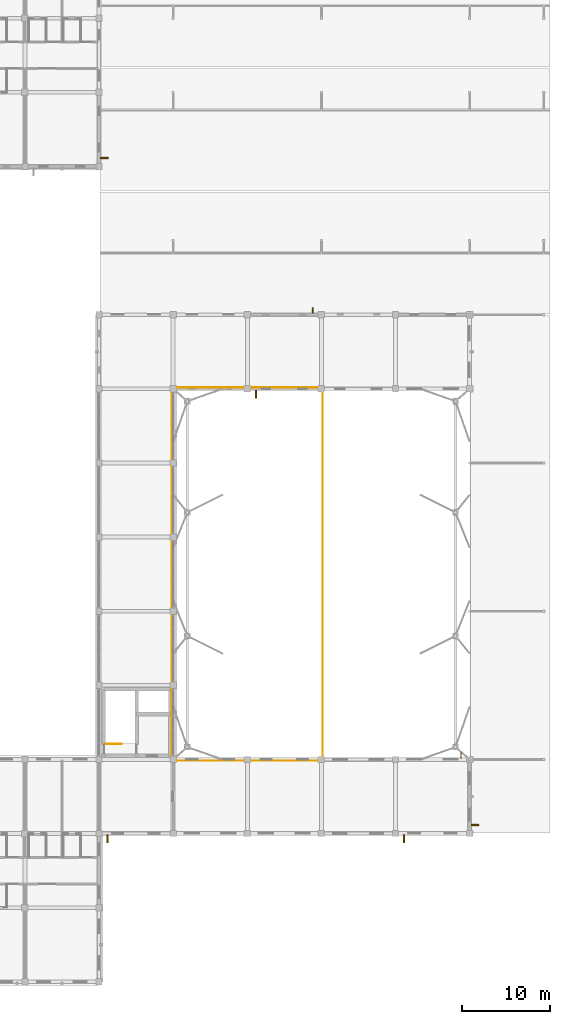
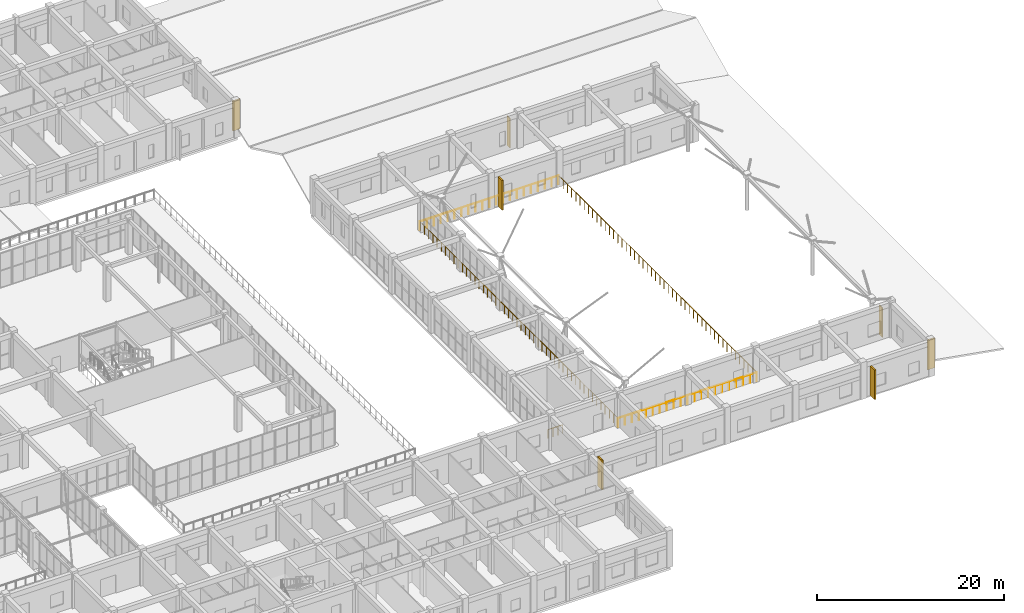
# One storey, part 157 of 158: 7 shading devices, 5 railings.
"""IFC4 building model written with IfcOpenShell, lengths in metres."""

from ifc_helpers import new_model, si_unit, direction, frame, origin, origin_2d, place, context, subcontext, project, spatial, rectangle, circle, extrude, material, type_object, element, save


model = new_model("IFC4")

# Units and contexts
model_context = context("Model", 3, precision=1e-05, world=origin(), true_north=direction((0.0, 1.0)))
body_context = subcontext(model_context, "Body", "Model", "MODEL_VIEW")
ifc_project = project(units=[si_unit("LENGTHUNIT", "METRE"), si_unit("AREAUNIT", "SQUARE_METRE"), si_unit("VOLUMEUNIT", "CUBIC_METRE"), si_unit("PLANEANGLEUNIT", "RADIAN"), si_unit("MASSUNIT", "GRAM", prefix="KILO")], contexts=[model_context])

# Site, building, storey
site_placement = place(None, origin())
site = spatial("IfcSite", under=ifc_project, at=site_placement, CompositionType="ELEMENT")
building_placement = place(site_placement, origin())
building = spatial("IfcBuilding", under=site, at=building_placement, Name="Trelvath General Hospital", CompositionType="ELEMENT")
storey_placement = place(building_placement, frame((0.0, 0.0, 8.10009765625)))
storey = spatial("IfcBuildingStorey", under=building, at=storey_placement, Name="L02", CompositionType="ELEMENT", Elevation=8.10009765625)

# Shading devices
ifc_material_1 = material(Name="Precast concrete C40/50", Category="concrete")
shading_device_type_1 = type_object("IfcShadingDeviceType", Name="BriseSoleil PrecastFin900", PredefinedType="JALOUSIE", material=ifc_material_1)
for number, where, z_axis, x_axis, name in (
    (1, (135.0048828125, 93.3701171875, 0.0), (0.0, 0.0, 1.0), (1.0, 0.0, 0.0), "Solar Brise-Soleil Screen L02-46"),
    (2, (135.3701171875, 16.195068359375, 0.0), (0.0, 0.0, 1.0), (0.0, -1.0, 0.0), "Solar Brise-Soleil Screen L02-47"),
    (3, (152.170166015625, 66.594970703125, 0.0), (0.0, 0.0, 1.0), (0.0, -1.0, 0.0), "Solar Brise-Soleil Screen L02-48"),
    (4, (168.97021484375, 16.195068359375, 0.0), (0.0, 0.0, 1.0), (0.0, -1.0, 0.0), "Solar Brise-Soleil Screen L02-50"),
    (5, (177.0048828125, 17.770263671875, 0.0), (0.0, 0.0, 1.0), (1.0, 0.0, 0.0), "Solar Brise-Soleil Screen L02-52"),
):
    element("IfcShadingDevice", number, at=place(storey_placement, frame(where, z_axis=z_axis, x_axis=x_axis)), inside=storey, type_object=shading_device_type_1, Name=name, PredefinedType="JALOUSIE", context=body_context, shape_type="SweptSolid", body=[
        extrude(rectangle(XDim=0.89990234375, YDim=0.179931640625, at=origin_2d()), origin(), (0.0, 0.0, 1.0), 3.860107421875),
    ])

# Railings
ifc_material_2 = material(Name="Architectural painted steel", Category="steel")
railing_type = type_object("IfcRailingType", Name="Guardrail Terrace1150", PredefinedType="GUARDRAIL", material=ifc_material_2)
railing_1_placement = place(storey_placement, frame((135.1298828125, 26.9599609375, 0.0)))
element("IfcRailing", 6, at=railing_1_placement, inside=storey, type_object=railing_type, Name="Stair Well Edge Guard C7 L02 240", PredefinedType="GUARDRAIL", context=body_context, shape_type="SweptSolid", body=[
    extrude(circle(Radius=0.02392578125, at=origin_2d()), frame((0.0, 0.0, 1.1259765625), z_axis=(1.0, 0.0, 0.0), x_axis=(0.0, 1.0, 0.0)), (0.0, 0.0, 1.0), 1.800048828125),
    extrude(circle(Radius=0.02099609375, at=origin_2d()), origin(), (0.0, 0.0, 1.0), 1.099853515625),
    extrude(circle(Radius=0.02099609375, at=origin_2d()), frame((0.60009765625, 0.0, 0.0)), (0.0, 0.0, 1.0), 1.099853515625),
    extrude(circle(Radius=0.02099609375, at=origin_2d()), frame((1.199951171875, 0.0, 0.0)), (0.0, 0.0, 1.0), 1.099853515625),
    extrude(circle(Radius=0.02099609375, at=origin_2d()), frame((1.800048828125, 0.0, 0.0)), (0.0, 0.0, 1.0), 1.099853515625),
])
railing_2_placement = place(storey_placement, frame((142.64990234375, 25.050048828125, 0.0)))
element("IfcRailing", 7, at=railing_2_placement, inside=storey, type_object=railing_type, Name="Hall Void Guard S L02 407", PredefinedType="GUARDRAIL", context=body_context, shape_type="SweptSolid", body=[
    extrude(circle(Radius=0.02392578125, at=origin_2d()), frame((0.0, 0.0, 1.1259765625), z_axis=(1.0, 0.0, 0.0), x_axis=(0.0, 1.0, 0.0)), (0.0, 0.0, 1.0), 17.10009765625),
    extrude(circle(Radius=0.02099609375, at=origin_2d()), origin(), (0.0, 0.0, 1.0), 1.099853515625),
    extrude(circle(Radius=0.02099609375, at=origin_2d()), frame((0.85498046875, 0.0, 0.0)), (0.0, 0.0, 1.0), 1.099853515625),
    extrude(circle(Radius=0.02099609375, at=origin_2d()), frame((1.7099609375, 0.0, 0.0)), (0.0, 0.0, 1.0), 1.099853515625),
    extrude(circle(Radius=0.02099609375, at=origin_2d()), frame((2.56494140625, 0.0, 0.0)), (0.0, 0.0, 1.0), 1.099853515625),
    extrude(circle(Radius=0.02099609375, at=origin_2d()), frame((3.419921875, 0.0, 0.0)), (0.0, 0.0, 1.0), 1.099853515625),
    extrude(circle(Radius=0.02099609375, at=origin_2d()), frame((4.27490234375, 0.0, 0.0)), (0.0, 0.0, 1.0), 1.099853515625),
    extrude(circle(Radius=0.02099609375, at=origin_2d()), frame((5.130126953125, 0.0, 0.0)), (0.0, 0.0, 1.0), 1.099853515625),
    extrude(circle(Radius=0.02099609375, at=origin_2d()), frame((5.985107421875, 0.0, 0.0)), (0.0, 0.0, 1.0), 1.099853515625),
    extrude(circle(Radius=0.02099609375, at=origin_2d()), frame((6.840087890625, 0.0, 0.0)), (0.0, 0.0, 1.0), 1.099853515625),
    extrude(circle(Radius=0.02099609375, at=origin_2d()), frame((7.695068359375, 0.0, 0.0)), (0.0, 0.0, 1.0), 1.099853515625),
    extrude(circle(Radius=0.02099609375, at=origin_2d()), frame((8.550048828125, 0.0, 0.0)), (0.0, 0.0, 1.0), 1.099853515625),
    extrude(circle(Radius=0.02099609375, at=origin_2d()), frame((9.405029296875, 0.0, 0.0)), (0.0, 0.0, 1.0), 1.099853515625),
    extrude(circle(Radius=0.02099609375, at=origin_2d()), frame((10.260009765625, 0.0, 0.0)), (0.0, 0.0, 1.0), 1.099853515625),
    extrude(circle(Radius=0.02099609375, at=origin_2d()), frame((11.114990234375, 0.0, 0.0)), (0.0, 0.0, 1.0), 1.099853515625),
    extrude(circle(Radius=0.02099609375, at=origin_2d()), frame((11.969970703125, 0.0, 0.0)), (0.0, 0.0, 1.0), 1.099853515625),
    extrude(circle(Radius=0.02099609375, at=origin_2d()), frame((12.8251953125, 0.0, 0.0)), (0.0, 0.0, 1.0), 1.099853515625),
    extrude(circle(Radius=0.02099609375, at=origin_2d()), frame((13.68017578125, 0.0, 0.0)), (0.0, 0.0, 1.0), 1.099853515625),
    extrude(circle(Radius=0.02099609375, at=origin_2d()), frame((14.53515625, 0.0, 0.0)), (0.0, 0.0, 1.0), 1.099853515625),
    extrude(circle(Radius=0.02099609375, at=origin_2d()), frame((15.39013671875, 0.0, 0.0)), (0.0, 0.0, 1.0), 1.099853515625),
    extrude(circle(Radius=0.02099609375, at=origin_2d()), frame((16.2451171875, 0.0, 0.0)), (0.0, 0.0, 1.0), 1.099853515625),
    extrude(circle(Radius=0.02099609375, at=origin_2d()), frame((17.10009765625, 0.0, 0.0)), (0.0, 0.0, 1.0), 1.099853515625),
])
railing_3_placement = place(storey_placement, frame((159.75, 25.1201171875, 0.0)))
element("IfcRailing", 8, at=railing_3_placement, inside=storey, type_object=railing_type, Name="Hall Void Guard E L02 408", PredefinedType="GUARDRAIL", context=body_context, shape_type="SweptSolid", body=[
    extrude(circle(Radius=0.02392578125, at=origin_2d()), frame((0.0, 0.0, 1.1259765625), z_axis=(0.0, 1.0, 0.0), x_axis=(-1.0, 0.0, 0.0)), (0.0, 0.0, 1.0), 42.159912109375),
    extrude(circle(Radius=0.02099609375, at=origin_2d()), origin(), (0.0, 0.0, 1.0), 1.099853515625),
    extrude(circle(Radius=0.02099609375, at=origin_2d()), frame((0.0, 0.89697265625, 0.0)), (0.0, 0.0, 1.0), 1.099853515625),
    extrude(circle(Radius=0.02099609375, at=origin_2d()), frame((0.0, 1.7939453125, 0.0)), (0.0, 0.0, 1.0), 1.099853515625),
    extrude(circle(Radius=0.02099609375, at=origin_2d()), frame((0.0, 2.691162109375, 0.0)), (0.0, 0.0, 1.0), 1.099853515625),
    extrude(circle(Radius=0.02099609375, at=origin_2d()), frame((0.0, 3.588134765625, 0.0)), (0.0, 0.0, 1.0), 1.099853515625),
    extrude(circle(Radius=0.02099609375, at=origin_2d()), frame((0.0, 4.485107421875, 0.0)), (0.0, 0.0, 1.0), 1.099853515625),
    extrude(circle(Radius=0.02099609375, at=origin_2d()), frame((0.0, 5.382080078125, 0.0)), (0.0, 0.0, 1.0), 1.099853515625),
    extrude(circle(Radius=0.02099609375, at=origin_2d()), frame((0.0, 6.279052734375, 0.0)), (0.0, 0.0, 1.0), 1.099853515625),
    extrude(circle(Radius=0.02099609375, at=origin_2d()), frame((0.0, 7.17626953125, 0.0)), (0.0, 0.0, 1.0), 1.099853515625),
    extrude(circle(Radius=0.02099609375, at=origin_2d()), frame((0.0, 8.0732421875, 0.0)), (0.0, 0.0, 1.0), 1.099853515625),
    extrude(circle(Radius=0.02099609375, at=origin_2d()), frame((0.0, 8.97021484375, 0.0)), (0.0, 0.0, 1.0), 1.099853515625),
    extrude(circle(Radius=0.02099609375, at=origin_2d()), frame((0.0, 9.8671875, 0.0)), (0.0, 0.0, 1.0), 1.099853515625),
    extrude(circle(Radius=0.02099609375, at=origin_2d()), frame((0.0, 10.76416015625, 0.0)), (0.0, 0.0, 1.0), 1.099853515625),
    extrude(circle(Radius=0.02099609375, at=origin_2d()), frame((0.0, 11.6611328125, 0.0)), (0.0, 0.0, 1.0), 1.099853515625),
    extrude(circle(Radius=0.02099609375, at=origin_2d()), frame((0.0, 12.558349609375, 0.0)), (0.0, 0.0, 1.0), 1.099853515625),
    extrude(circle(Radius=0.02099609375, at=origin_2d()), frame((0.0, 13.455322265625, 0.0)), (0.0, 0.0, 1.0), 1.099853515625),
    extrude(circle(Radius=0.02099609375, at=origin_2d()), frame((0.0, 14.352294921875, 0.0)), (0.0, 0.0, 1.0), 1.099853515625),
    extrude(circle(Radius=0.02099609375, at=origin_2d()), frame((0.0, 15.249267578125, 0.0)), (0.0, 0.0, 1.0), 1.099853515625),
    extrude(circle(Radius=0.02099609375, at=origin_2d()), frame((0.0, 16.146240234375, 0.0)), (0.0, 0.0, 1.0), 1.099853515625),
    extrude(circle(Radius=0.02099609375, at=origin_2d()), frame((0.0, 17.04345703125, 0.0)), (0.0, 0.0, 1.0), 1.099853515625),
    extrude(circle(Radius=0.02099609375, at=origin_2d()), frame((0.0, 17.9404296875, 0.0)), (0.0, 0.0, 1.0), 1.099853515625),
    extrude(circle(Radius=0.02099609375, at=origin_2d()), frame((0.0, 18.83740234375, 0.0)), (0.0, 0.0, 1.0), 1.099853515625),
    extrude(circle(Radius=0.02099609375, at=origin_2d()), frame((0.0, 19.734375, 0.0)), (0.0, 0.0, 1.0), 1.099853515625),
    extrude(circle(Radius=0.02099609375, at=origin_2d()), frame((0.0, 20.63134765625, 0.0)), (0.0, 0.0, 1.0), 1.099853515625),
    extrude(circle(Radius=0.02099609375, at=origin_2d()), frame((0.0, 21.528564453125, 0.0)), (0.0, 0.0, 1.0), 1.099853515625),
    extrude(circle(Radius=0.02099609375, at=origin_2d()), frame((0.0, 22.425537109375, 0.0)), (0.0, 0.0, 1.0), 1.099853515625),
    extrude(circle(Radius=0.02099609375, at=origin_2d()), frame((0.0, 23.322509765625, 0.0)), (0.0, 0.0, 1.0), 1.099853515625),
    extrude(circle(Radius=0.02099609375, at=origin_2d()), frame((0.0, 24.219482421875, 0.0)), (0.0, 0.0, 1.0), 1.099853515625),
    extrude(circle(Radius=0.02099609375, at=origin_2d()), frame((0.0, 25.116455078125, 0.0)), (0.0, 0.0, 1.0), 1.099853515625),
    extrude(circle(Radius=0.02099609375, at=origin_2d()), frame((0.0, 26.013671875, 0.0)), (0.0, 0.0, 1.0), 1.099853515625),
    extrude(circle(Radius=0.02099609375, at=origin_2d()), frame((0.0, 26.91064453125, 0.0)), (0.0, 0.0, 1.0), 1.099853515625),
    extrude(circle(Radius=0.02099609375, at=origin_2d()), frame((0.0, 27.8076171875, 0.0)), (0.0, 0.0, 1.0), 1.099853515625),
    extrude(circle(Radius=0.02099609375, at=origin_2d()), frame((0.0, 28.70458984375, 0.0)), (0.0, 0.0, 1.0), 1.099853515625),
    extrude(circle(Radius=0.02099609375, at=origin_2d()), frame((0.0, 29.6015625, 0.0)), (0.0, 0.0, 1.0), 1.099853515625),
    extrude(circle(Radius=0.02099609375, at=origin_2d()), frame((0.0, 30.498779296875, 0.0)), (0.0, 0.0, 1.0), 1.099853515625),
    extrude(circle(Radius=0.02099609375, at=origin_2d()), frame((0.0, 31.395751953125, 0.0)), (0.0, 0.0, 1.0), 1.099853515625),
    extrude(circle(Radius=0.02099609375, at=origin_2d()), frame((0.0, 32.292724609375, 0.0)), (0.0, 0.0, 1.0), 1.099853515625),
    extrude(circle(Radius=0.02099609375, at=origin_2d()), frame((0.0, 33.189697265625, 0.0)), (0.0, 0.0, 1.0), 1.099853515625),
    extrude(circle(Radius=0.02099609375, at=origin_2d()), frame((0.0, 34.086669921875, 0.0)), (0.0, 0.0, 1.0), 1.099853515625),
    extrude(circle(Radius=0.02099609375, at=origin_2d()), frame((0.0, 34.983642578125, 0.0)), (0.0, 0.0, 1.0), 1.099853515625),
    extrude(circle(Radius=0.02099609375, at=origin_2d()), frame((0.0, 35.880859375, 0.0)), (0.0, 0.0, 1.0), 1.099853515625),
    extrude(circle(Radius=0.02099609375, at=origin_2d()), frame((0.0, 36.77783203125, 0.0)), (0.0, 0.0, 1.0), 1.099853515625),
    extrude(circle(Radius=0.02099609375, at=origin_2d()), frame((0.0, 37.6748046875, 0.0)), (0.0, 0.0, 1.0), 1.099853515625),
    extrude(circle(Radius=0.02099609375, at=origin_2d()), frame((0.0, 38.57177734375, 0.0)), (0.0, 0.0, 1.0), 1.099853515625),
    extrude(circle(Radius=0.02099609375, at=origin_2d()), frame((0.0, 39.46875, 0.0)), (0.0, 0.0, 1.0), 1.099853515625),
    extrude(circle(Radius=0.02099609375, at=origin_2d()), frame((0.0, 40.365966796875, 0.0)), (0.0, 0.0, 1.0), 1.099853515625),
    extrude(circle(Radius=0.02099609375, at=origin_2d()), frame((0.0, 41.262939453125, 0.0)), (0.0, 0.0, 1.0), 1.099853515625),
    extrude(circle(Radius=0.02099609375, at=origin_2d()), frame((0.0, 42.159912109375, 0.0)), (0.0, 0.0, 1.0), 1.099853515625),
])
railing_4_placement = place(storey_placement, frame((142.64990234375, 67.35009765625, 0.0)))
element("IfcRailing", 9, at=railing_4_placement, inside=storey, type_object=railing_type, Name="Hall Void Guard N L02 409", PredefinedType="GUARDRAIL", context=body_context, shape_type="SweptSolid", body=[
    extrude(circle(Radius=0.02392578125, at=origin_2d()), frame((0.0, 0.0, 1.1259765625), z_axis=(1.0, 0.0, 0.0), x_axis=(0.0, 1.0, 0.0)), (0.0, 0.0, 1.0), 17.10009765625),
    extrude(circle(Radius=0.02099609375, at=origin_2d()), origin(), (0.0, 0.0, 1.0), 1.099853515625),
    extrude(circle(Radius=0.02099609375, at=origin_2d()), frame((0.85498046875, 0.0, 0.0)), (0.0, 0.0, 1.0), 1.099853515625),
    extrude(circle(Radius=0.02099609375, at=origin_2d()), frame((1.7099609375, 0.0, 0.0)), (0.0, 0.0, 1.0), 1.099853515625),
    extrude(circle(Radius=0.02099609375, at=origin_2d()), frame((2.56494140625, 0.0, 0.0)), (0.0, 0.0, 1.0), 1.099853515625),
    extrude(circle(Radius=0.02099609375, at=origin_2d()), frame((3.419921875, 0.0, 0.0)), (0.0, 0.0, 1.0), 1.099853515625),
    extrude(circle(Radius=0.02099609375, at=origin_2d()), frame((4.27490234375, 0.0, 0.0)), (0.0, 0.0, 1.0), 1.099853515625),
    extrude(circle(Radius=0.02099609375, at=origin_2d()), frame((5.130126953125, 0.0, 0.0)), (0.0, 0.0, 1.0), 1.099853515625),
    extrude(circle(Radius=0.02099609375, at=origin_2d()), frame((5.985107421875, 0.0, 0.0)), (0.0, 0.0, 1.0), 1.099853515625),
    extrude(circle(Radius=0.02099609375, at=origin_2d()), frame((6.840087890625, 0.0, 0.0)), (0.0, 0.0, 1.0), 1.099853515625),
    extrude(circle(Radius=0.02099609375, at=origin_2d()), frame((7.695068359375, 0.0, 0.0)), (0.0, 0.0, 1.0), 1.099853515625),
    extrude(circle(Radius=0.02099609375, at=origin_2d()), frame((8.550048828125, 0.0, 0.0)), (0.0, 0.0, 1.0), 1.099853515625),
    extrude(circle(Radius=0.02099609375, at=origin_2d()), frame((9.405029296875, 0.0, 0.0)), (0.0, 0.0, 1.0), 1.099853515625),
    extrude(circle(Radius=0.02099609375, at=origin_2d()), frame((10.260009765625, 0.0, 0.0)), (0.0, 0.0, 1.0), 1.099853515625),
    extrude(circle(Radius=0.02099609375, at=origin_2d()), frame((11.114990234375, 0.0, 0.0)), (0.0, 0.0, 1.0), 1.099853515625),
    extrude(circle(Radius=0.02099609375, at=origin_2d()), frame((11.969970703125, 0.0, 0.0)), (0.0, 0.0, 1.0), 1.099853515625),
    extrude(circle(Radius=0.02099609375, at=origin_2d()), frame((12.8251953125, 0.0, 0.0)), (0.0, 0.0, 1.0), 1.099853515625),
    extrude(circle(Radius=0.02099609375, at=origin_2d()), frame((13.68017578125, 0.0, 0.0)), (0.0, 0.0, 1.0), 1.099853515625),
    extrude(circle(Radius=0.02099609375, at=origin_2d()), frame((14.53515625, 0.0, 0.0)), (0.0, 0.0, 1.0), 1.099853515625),
    extrude(circle(Radius=0.02099609375, at=origin_2d()), frame((15.39013671875, 0.0, 0.0)), (0.0, 0.0, 1.0), 1.099853515625),
    extrude(circle(Radius=0.02099609375, at=origin_2d()), frame((16.2451171875, 0.0, 0.0)), (0.0, 0.0, 1.0), 1.099853515625),
    extrude(circle(Radius=0.02099609375, at=origin_2d()), frame((17.10009765625, 0.0, 0.0)), (0.0, 0.0, 1.0), 1.099853515625),
])
railing_5_placement = place(storey_placement, frame((142.64990234375, 25.1201171875, 0.0)))
element("IfcRailing", 10, at=railing_5_placement, inside=storey, type_object=railing_type, Name="Hall Void Guard W L02 410", PredefinedType="GUARDRAIL", context=body_context, shape_type="SweptSolid", body=[
    extrude(circle(Radius=0.02392578125, at=origin_2d()), frame((0.0, 0.0, 1.1259765625), z_axis=(0.0, 1.0, 0.0), x_axis=(-1.0, 0.0, 0.0)), (0.0, 0.0, 1.0), 42.159912109375),
    extrude(circle(Radius=0.02099609375, at=origin_2d()), origin(), (0.0, 0.0, 1.0), 1.099853515625),
    extrude(circle(Radius=0.02099609375, at=origin_2d()), frame((0.0, 0.89697265625, 0.0)), (0.0, 0.0, 1.0), 1.099853515625),
    extrude(circle(Radius=0.02099609375, at=origin_2d()), frame((0.0, 1.7939453125, 0.0)), (0.0, 0.0, 1.0), 1.099853515625),
    extrude(circle(Radius=0.02099609375, at=origin_2d()), frame((0.0, 2.691162109375, 0.0)), (0.0, 0.0, 1.0), 1.099853515625),
    extrude(circle(Radius=0.02099609375, at=origin_2d()), frame((0.0, 3.588134765625, 0.0)), (0.0, 0.0, 1.0), 1.099853515625),
    extrude(circle(Radius=0.02099609375, at=origin_2d()), frame((0.0, 4.485107421875, 0.0)), (0.0, 0.0, 1.0), 1.099853515625),
    extrude(circle(Radius=0.02099609375, at=origin_2d()), frame((0.0, 5.382080078125, 0.0)), (0.0, 0.0, 1.0), 1.099853515625),
    extrude(circle(Radius=0.02099609375, at=origin_2d()), frame((0.0, 6.279052734375, 0.0)), (0.0, 0.0, 1.0), 1.099853515625),
    extrude(circle(Radius=0.02099609375, at=origin_2d()), frame((0.0, 7.17626953125, 0.0)), (0.0, 0.0, 1.0), 1.099853515625),
    extrude(circle(Radius=0.02099609375, at=origin_2d()), frame((0.0, 8.0732421875, 0.0)), (0.0, 0.0, 1.0), 1.099853515625),
    extrude(circle(Radius=0.02099609375, at=origin_2d()), frame((0.0, 8.97021484375, 0.0)), (0.0, 0.0, 1.0), 1.099853515625),
    extrude(circle(Radius=0.02099609375, at=origin_2d()), frame((0.0, 9.8671875, 0.0)), (0.0, 0.0, 1.0), 1.099853515625),
    extrude(circle(Radius=0.02099609375, at=origin_2d()), frame((0.0, 10.76416015625, 0.0)), (0.0, 0.0, 1.0), 1.099853515625),
    extrude(circle(Radius=0.02099609375, at=origin_2d()), frame((0.0, 11.6611328125, 0.0)), (0.0, 0.0, 1.0), 1.099853515625),
    extrude(circle(Radius=0.02099609375, at=origin_2d()), frame((0.0, 12.558349609375, 0.0)), (0.0, 0.0, 1.0), 1.099853515625),
    extrude(circle(Radius=0.02099609375, at=origin_2d()), frame((0.0, 13.455322265625, 0.0)), (0.0, 0.0, 1.0), 1.099853515625),
    extrude(circle(Radius=0.02099609375, at=origin_2d()), frame((0.0, 14.352294921875, 0.0)), (0.0, 0.0, 1.0), 1.099853515625),
    extrude(circle(Radius=0.02099609375, at=origin_2d()), frame((0.0, 15.249267578125, 0.0)), (0.0, 0.0, 1.0), 1.099853515625),
    extrude(circle(Radius=0.02099609375, at=origin_2d()), frame((0.0, 16.146240234375, 0.0)), (0.0, 0.0, 1.0), 1.099853515625),
    extrude(circle(Radius=0.02099609375, at=origin_2d()), frame((0.0, 17.04345703125, 0.0)), (0.0, 0.0, 1.0), 1.099853515625),
    extrude(circle(Radius=0.02099609375, at=origin_2d()), frame((0.0, 17.9404296875, 0.0)), (0.0, 0.0, 1.0), 1.099853515625),
    extrude(circle(Radius=0.02099609375, at=origin_2d()), frame((0.0, 18.83740234375, 0.0)), (0.0, 0.0, 1.0), 1.099853515625),
    extrude(circle(Radius=0.02099609375, at=origin_2d()), frame((0.0, 19.734375, 0.0)), (0.0, 0.0, 1.0), 1.099853515625),
    extrude(circle(Radius=0.02099609375, at=origin_2d()), frame((0.0, 20.63134765625, 0.0)), (0.0, 0.0, 1.0), 1.099853515625),
    extrude(circle(Radius=0.02099609375, at=origin_2d()), frame((0.0, 21.528564453125, 0.0)), (0.0, 0.0, 1.0), 1.099853515625),
    extrude(circle(Radius=0.02099609375, at=origin_2d()), frame((0.0, 22.425537109375, 0.0)), (0.0, 0.0, 1.0), 1.099853515625),
    extrude(circle(Radius=0.02099609375, at=origin_2d()), frame((0.0, 23.322509765625, 0.0)), (0.0, 0.0, 1.0), 1.099853515625),
    extrude(circle(Radius=0.02099609375, at=origin_2d()), frame((0.0, 24.219482421875, 0.0)), (0.0, 0.0, 1.0), 1.099853515625),
    extrude(circle(Radius=0.02099609375, at=origin_2d()), frame((0.0, 25.116455078125, 0.0)), (0.0, 0.0, 1.0), 1.099853515625),
    extrude(circle(Radius=0.02099609375, at=origin_2d()), frame((0.0, 26.013671875, 0.0)), (0.0, 0.0, 1.0), 1.099853515625),
    extrude(circle(Radius=0.02099609375, at=origin_2d()), frame((0.0, 26.91064453125, 0.0)), (0.0, 0.0, 1.0), 1.099853515625),
    extrude(circle(Radius=0.02099609375, at=origin_2d()), frame((0.0, 27.8076171875, 0.0)), (0.0, 0.0, 1.0), 1.099853515625),
    extrude(circle(Radius=0.02099609375, at=origin_2d()), frame((0.0, 28.70458984375, 0.0)), (0.0, 0.0, 1.0), 1.099853515625),
    extrude(circle(Radius=0.02099609375, at=origin_2d()), frame((0.0, 29.6015625, 0.0)), (0.0, 0.0, 1.0), 1.099853515625),
    extrude(circle(Radius=0.02099609375, at=origin_2d()), frame((0.0, 30.498779296875, 0.0)), (0.0, 0.0, 1.0), 1.099853515625),
    extrude(circle(Radius=0.02099609375, at=origin_2d()), frame((0.0, 31.395751953125, 0.0)), (0.0, 0.0, 1.0), 1.099853515625),
    extrude(circle(Radius=0.02099609375, at=origin_2d()), frame((0.0, 32.292724609375, 0.0)), (0.0, 0.0, 1.0), 1.099853515625),
    extrude(circle(Radius=0.02099609375, at=origin_2d()), frame((0.0, 33.189697265625, 0.0)), (0.0, 0.0, 1.0), 1.099853515625),
    extrude(circle(Radius=0.02099609375, at=origin_2d()), frame((0.0, 34.086669921875, 0.0)), (0.0, 0.0, 1.0), 1.099853515625),
    extrude(circle(Radius=0.02099609375, at=origin_2d()), frame((0.0, 34.983642578125, 0.0)), (0.0, 0.0, 1.0), 1.099853515625),
    extrude(circle(Radius=0.02099609375, at=origin_2d()), frame((0.0, 35.880859375, 0.0)), (0.0, 0.0, 1.0), 1.099853515625),
    extrude(circle(Radius=0.02099609375, at=origin_2d()), frame((0.0, 36.77783203125, 0.0)), (0.0, 0.0, 1.0), 1.099853515625),
    extrude(circle(Radius=0.02099609375, at=origin_2d()), frame((0.0, 37.6748046875, 0.0)), (0.0, 0.0, 1.0), 1.099853515625),
    extrude(circle(Radius=0.02099609375, at=origin_2d()), frame((0.0, 38.57177734375, 0.0)), (0.0, 0.0, 1.0), 1.099853515625),
    extrude(circle(Radius=0.02099609375, at=origin_2d()), frame((0.0, 39.46875, 0.0)), (0.0, 0.0, 1.0), 1.099853515625),
    extrude(circle(Radius=0.02099609375, at=origin_2d()), frame((0.0, 40.365966796875, 0.0)), (0.0, 0.0, 1.0), 1.099853515625),
    extrude(circle(Radius=0.02099609375, at=origin_2d()), frame((0.0, 41.262939453125, 0.0)), (0.0, 0.0, 1.0), 1.099853515625),
    extrude(circle(Radius=0.02099609375, at=origin_2d()), frame((0.0, 42.159912109375, 0.0)), (0.0, 0.0, 1.0), 1.099853515625),
])

# Shading devices
ifc_material_3 = material(Name="Anodised aluminium", Category="aluminium")
shading_device_type_2 = type_object("IfcShadingDeviceType", Name="SolarScreen PerforatedAlu", PredefinedType="JALOUSIE", material=ifc_material_3)
for number, where, z_axis, x_axis, name in (
    (11, (158.6298828125, 76.080078125, 0.0), (0.0, 0.0, 1.0), (0.0, 1.0, 0.0), "Solar Brise-Soleil Screen L02-49"),
    (12, (175.4296875, 25.679931640625, 0.0), (0.0, 0.0, 1.0), (0.0, 1.0, 0.0), "Solar Brise-Soleil Screen L02-51"),
):
    element("IfcShadingDevice", number, at=place(storey_placement, frame(where, z_axis=z_axis, x_axis=x_axis)), inside=storey, type_object=shading_device_type_2, Name=name, PredefinedType="JALOUSIE", context=body_context, shape_type="SweptSolid", body=[
        extrude(rectangle(XDim=0.64990234375, YDim=0.080078125, at=origin_2d()), origin(), (0.0, 0.0, 1.0), 3.860107421875),
    ])

save(model, "model.ifc")
